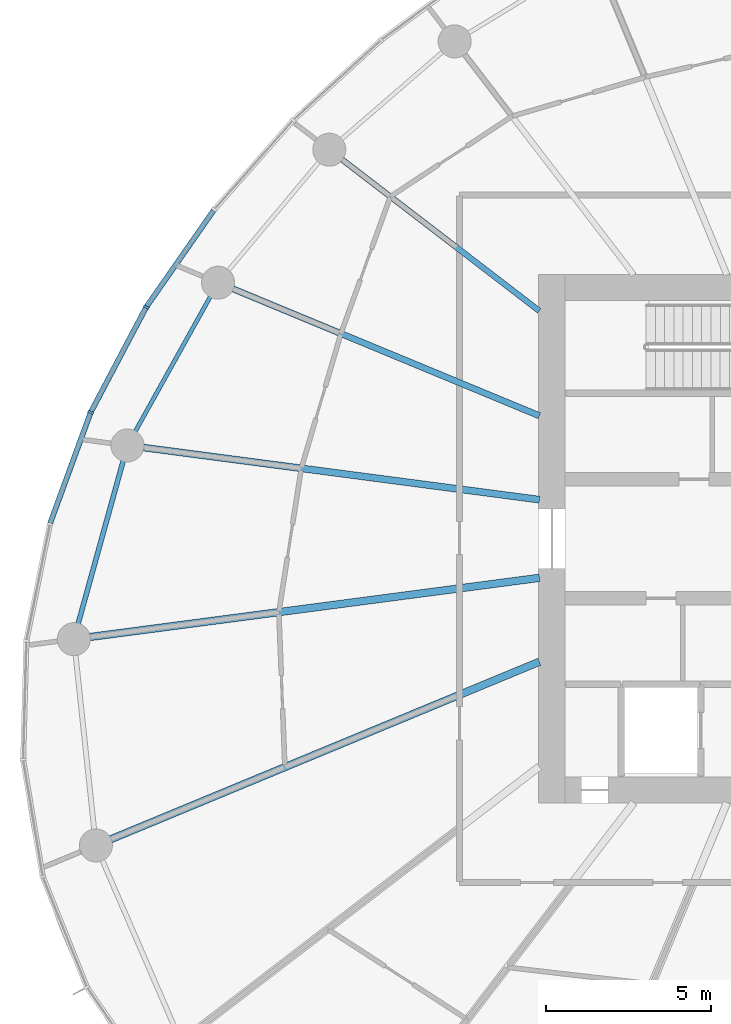
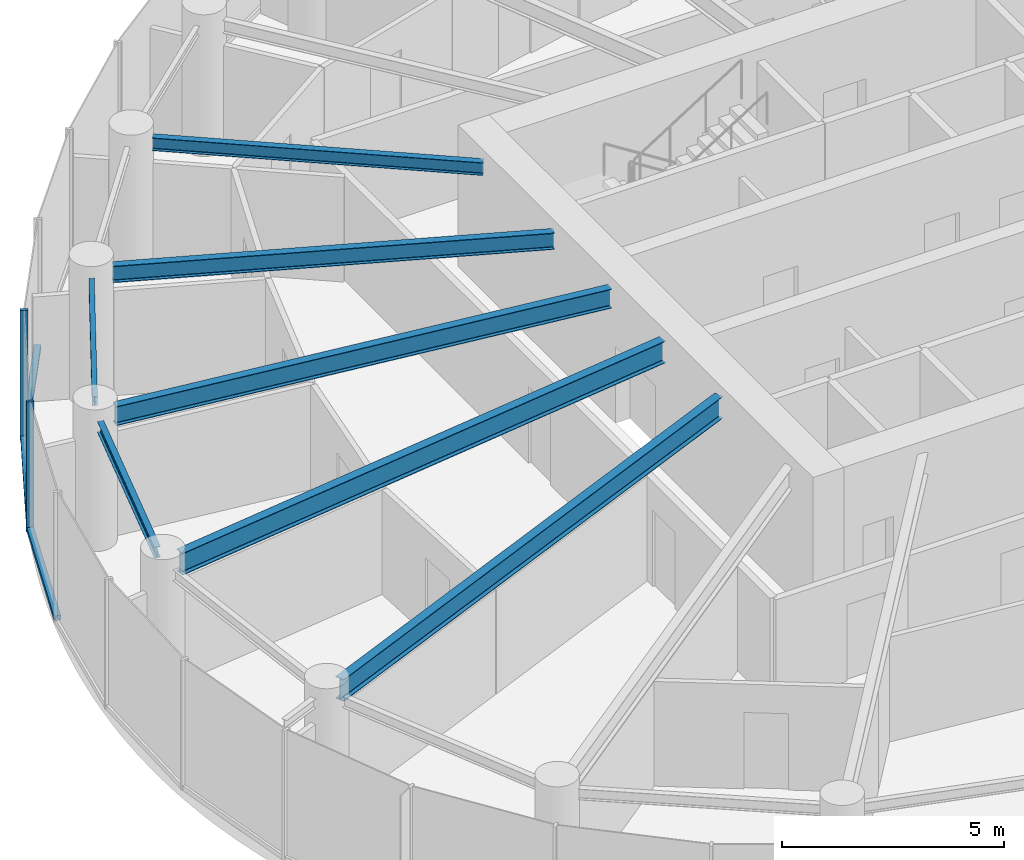
# One storey, part 3 of 14: 7 beams, 5 members, 1 element without a shape of its own.
"""IFC4 building model written with IfcOpenShell, lengths in metres."""

from ifc_helpers import new_model, si_unit, direction, frame, origin, origin_2d, place, context, subcontext, project, spatial, rectangle, i_section, extrude, source, transform, mapped, material, layer, layer_set, material_profile, profile_set, type_object, element, aggregate, save


model = new_model("IFC4")

# Units and contexts
model_context = context("Model", 3, precision=1e-05, world=origin(), true_north=direction((0.0, 1.0)))
body_context = subcontext(model_context, "Body", "Model", "MODEL_VIEW")
ifc_project = project(units=[si_unit("LENGTHUNIT", "METRE"), si_unit("AREAUNIT", "SQUARE_METRE"), si_unit("VOLUMEUNIT", "CUBIC_METRE"), si_unit("PLANEANGLEUNIT", "RADIAN"), si_unit("MASSUNIT", "GRAM", prefix="KILO")], contexts=[model_context])

# Site, building, storey
site_placement = place(None, origin())
site = spatial("IfcSite", under=ifc_project, at=site_placement, CompositionType="ELEMENT")
building_placement = place(site_placement, origin())
building = spatial("IfcBuilding", under=site, at=building_placement, Name="Spindrift Exchange Tower", CompositionType="ELEMENT")
storey_placement = place(building_placement, frame((0.0, 0.0, 160.39990234375)))
storey = spatial("IfcBuildingStorey", under=building, at=storey_placement, Name="L38", CompositionType="ELEMENT", Elevation=160.39990234375)

# Beams
ifc_material_1 = material(Name="Steel Grade 300", Category="steel")
ifc_material_profile_1 = material_profile(ifc_material_1, i_section(OverallWidth=0.1240234375, OverallDepth=0.248046875, WebThickness=0.0048828125, FlangeThickness=0.008056640625, FilletRadius=0.011962890625, at=origin_2d()), Name="250UB25.7")
ifc_profile_set_1 = profile_set([ifc_material_profile_1], Name="Steel Grade 300")
beam_type_1 = type_object("IfcBeamType", Name="Edge Beam 250UB25.7 Steel Grade 300", PredefinedType="SPANDREL", material=ifc_profile_set_1)
shared_shape_1 = source(origin(), body_context, "Body", "SweptSolid", [
    extrude(i_section(OverallWidth=0.1240234375, OverallDepth=0.248046875, WebThickness=0.0048828125, FlangeThickness=0.008056640625, FilletRadius=0.011962890625, at=origin_2d()), origin(), (0.0, 0.0, 1.0), 4.6748046875),
])
beam_1_placement = place(storey_placement, frame((33.067138671875, 55.326171875, 3.4560546875), z_axis=(-0.486587145143, -0.873632045075, 0.0), x_axis=(0.873632045075, -0.486587145143, 0.0)))
element("IfcBeam", 1, at=beam_1_placement, inside=storey, type_object=beam_type_1, Name="L38 edge beam E11", PredefinedType="SPANDREL", context=body_context, shape_type="MappedRepresentation", body=[
    mapped(shared_shape_1, transform((0.0, 0.0, 0.0), scale=1.0)),
])
ifc_material_profile_2 = material_profile(ifc_material_1, i_section(OverallWidth=0.14892578125, OverallDepth=0.298095703125, WebThickness=0.005615234375, FlangeThickness=0.008056640625, FilletRadius=0.012939453125, at=origin_2d()), Name="310UB32.0")
ifc_profile_set_2 = profile_set([ifc_material_profile_2], Name="Steel Grade 300")
beam_type_2 = type_object("IfcBeamType", Name="Edge Beam 310UB32.0 Steel Grade 300", PredefinedType="SPANDREL", material=ifc_profile_set_2)
shared_shape_2 = source(origin(), body_context, "Body", "SweptSolid", [
    extrude(i_section(OverallWidth=0.14892578125, OverallDepth=0.298095703125, WebThickness=0.005615234375, FlangeThickness=0.008056640625, FilletRadius=0.012939453125, at=origin_2d()), origin(), (0.0, 0.0, 1.0), 5.118896484375),
])
beam_2_placement = place(storey_placement, frame((30.430908203125, 50.360107421875, 3.43115234375), z_axis=(-0.266654866605, -0.963792084485, 0.0), x_axis=(0.963792084485, -0.266654866605, 0.0)))
element("IfcBeam", 2, at=beam_2_placement, inside=storey, type_object=beam_type_2, Name="L38 edge beam E12", PredefinedType="SPANDREL", context=body_context, shape_type="MappedRepresentation", body=[
    mapped(shared_shape_2, transform((0.0, 0.0, 0.0), scale=1.0)),
])
ifc_material_profile_3 = material_profile(ifc_material_1, i_section(OverallWidth=0.22802734375, OverallDepth=0.60205078125, WebThickness=0.010498046875, FlangeThickness=0.014892578125, FilletRadius=0.013916015625, at=origin_2d()), Name="610UB101")
ifc_profile_set_3 = profile_set([ifc_material_profile_3], Name="Steel Grade 300")
beam_type_3 = type_object("IfcBeamType", Name="Floor Beam 610UB101 Steel Grade 300", PredefinedType="BEAM", material=ifc_profile_set_3)
shared_shape_3 = source(origin(), body_context, "Body", "SweptSolid", [
    extrude(i_section(OverallWidth=0.22802734375, OverallDepth=0.60205078125, WebThickness=0.010498046875, FlangeThickness=0.014892578125, FilletRadius=0.013916015625, at=origin_2d()), origin(), (0.0, 0.0, 1.0), 13.723388671875),
])
beam_3_placement = place(storey_placement, frame((43.019775390625, 46.817626953125, 3.279052734375), z_axis=(-0.991447148915, -0.13050881544, 0.0), x_axis=(0.13050881544, -0.991447148915, 0.0)))
element("IfcBeam", 3, at=beam_3_placement, inside=storey, type_object=beam_type_3, Name="L38 radial beam R13A", PredefinedType="BEAM", context=body_context, shape_type="MappedRepresentation", body=[
    mapped(shared_shape_3, transform((0.0, 0.0, 0.0), scale=1.0)),
])
shared_shape_4 = source(origin(), body_context, "Body", "SweptSolid", [
    extrude(i_section(OverallWidth=0.22802734375, OverallDepth=0.60205078125, WebThickness=0.010498046875, FlangeThickness=0.014892578125, FilletRadius=0.013916015625, at=origin_2d()), origin(), (0.0, 0.0, 1.0), 14.04052734375),
])
beam_4_placement = place(storey_placement, frame((43.0185546875, 44.27978515625, 3.279052734375), z_axis=(-0.923879501748, -0.382683506634, 0.0), x_axis=(0.382683506634, -0.923879501748, 0.0)))
element("IfcBeam", 4, at=beam_4_placement, inside=storey, type_object=beam_type_3, Name="L38 radial beam R14A", PredefinedType="BEAM", context=body_context, shape_type="MappedRepresentation", body=[
    mapped(shared_shape_4, transform((0.0, 0.0, 0.0), scale=1.0)),
])
ifc_material_profile_4 = material_profile(ifc_material_1, i_section(OverallWidth=0.1708984375, OverallDepth=0.35205078125, WebThickness=0.0068359375, FlangeThickness=0.009765625, FilletRadius=0.013916015625, at=origin_2d()), Name="360UB44.7")
ifc_profile_set_4 = profile_set([ifc_material_profile_4], Name="Steel Grade 300")
beam_type_4 = type_object("IfcBeamType", Name="Floor Beam 360UB44.7 Steel Grade 300", PredefinedType="BEAM", material=ifc_profile_set_4)
shared_shape_5 = source(origin(), body_context, "Body", "SweptSolid", [
    extrude(i_section(OverallWidth=0.1708984375, OverallDepth=0.35205078125, WebThickness=0.0068359375, FlangeThickness=0.009765625, FilletRadius=0.013916015625, at=origin_2d()), origin(), (0.0, 0.0, 1.0), 7.52685546875),
])
beam_5_placement = place(storey_placement, frame((43.015869140625, 54.893798828125, 3.404052734375), z_axis=(-0.793354136078, 0.608760391918, 0.0), x_axis=(-0.608760391918, -0.793354136078, 0.0)))
element("IfcBeam", 5, at=beam_5_placement, inside=storey, type_object=beam_type_4, Name="L38 radial beam R10A", PredefinedType="BEAM", context=body_context, shape_type="MappedRepresentation", body=[
    mapped(shared_shape_5, transform((0.0, 0.0, 0.0), scale=1.0)),
])
ifc_material_profile_5 = material_profile(ifc_material_1, i_section(OverallWidth=0.18994140625, OverallDepth=0.4541015625, WebThickness=0.008544921875, FlangeThickness=0.0126953125, FilletRadius=0.013916015625, at=origin_2d()), Name="460UB67.1")
ifc_profile_set_5 = profile_set([ifc_material_profile_5], Name="Steel Grade 300")
beam_type_5 = type_object("IfcBeamType", Name="Floor Beam 460UB67.1 Steel Grade 300", PredefinedType="BEAM", material=ifc_profile_set_5)
shared_shape_6 = source(origin(), body_context, "Body", "SweptSolid", [
    extrude(i_section(OverallWidth=0.18994140625, OverallDepth=0.4541015625, WebThickness=0.008544921875, FlangeThickness=0.0126953125, FilletRadius=0.013916015625, at=origin_2d()), origin(), (0.0, 0.0, 1.0), 10.03857421875),
])
beam_6_placement = place(storey_placement, frame((43.0185546875, 51.72021484375, 3.35302734375), z_axis=(-0.923880777638, 0.382680426349, 0.0), x_axis=(-0.382680426349, -0.923880777638, 0.0)))
element("IfcBeam", 6, at=beam_6_placement, inside=storey, type_object=beam_type_5, Name="L38 radial beam R11A", PredefinedType="BEAM", context=body_context, shape_type="MappedRepresentation", body=[
    mapped(shared_shape_6, transform((0.0, 0.0, 0.0), scale=1.0)),
])
ifc_material_profile_6 = material_profile(ifc_material_1, i_section(OverallWidth=0.208984375, OverallDepth=0.528076171875, WebThickness=0.009521484375, FlangeThickness=0.01318359375, FilletRadius=0.013916015625, at=origin_2d()), Name="530UB82.0")
ifc_profile_set_6 = profile_set([ifc_material_profile_6], Name="Steel Grade 300")
beam_type_6 = type_object("IfcBeamType", Name="Floor Beam 530UB82.0 Steel Grade 300", PredefinedType="BEAM", material=ifc_profile_set_6)
shared_shape_7 = source(origin(), body_context, "Body", "SweptSolid", [
    extrude(i_section(OverallWidth=0.208984375, OverallDepth=0.528076171875, WebThickness=0.009521484375, FlangeThickness=0.01318359375, FilletRadius=0.013916015625, at=origin_2d()), origin(), (0.0, 0.0, 1.0), 12.088134765625),
])
beam_7_placement = place(storey_placement, frame((43.019775390625, 49.182373046875, 3.316162109375), z_axis=(-0.991447007302, 0.130509891244, 0.0), x_axis=(-0.130509891244, -0.991447007302, 0.0)))
element("IfcBeam", 7, at=beam_7_placement, inside=storey, type_object=beam_type_6, Name="L38 radial beam R12A", PredefinedType="BEAM", context=body_context, shape_type="MappedRepresentation", body=[
    mapped(shared_shape_7, transform((0.0, 0.0, 0.0), scale=1.0)),
])

# Curtain wall, members
ifc_material_2 = material(Name="Fritted laminated glass with bronze frame", Category="glass")
ifc_layer = layer(ifc_material_2, 0.179931640625)
ifc_layer_set = layer_set([ifc_layer], Name="ZONE 3 BRONZE FRITTED WALL")
curtain_wall_type = type_object("IfcCurtainWallType", Name="ZONE 3 BRONZE FRITTED WALL", PredefinedType="NOTDEFINED", material=ifc_layer_set)
curtain_wall_placement = place(storey_placement, origin())
curtain_wall = element("IfcCurtainWall", 8, at=curtain_wall_placement, inside=storey, type_object=curtain_wall_type, Name="L38 Zone 3 Bronze Fritted Wall run 3", PredefinedType="NOTDEFINED")
ifc_material_3 = material(Name="Bronze anodised aluminium", Category="aluminium")
ifc_material_profile_7 = material_profile(ifc_material_3, rectangle(XDim=0.159912109375, YDim=0.1298828125, at=origin_2d()), Name="ZONE 3 BRONZE FRITTED WALL TRANSOM 160X130")
ifc_profile_set_7 = profile_set([ifc_material_profile_7], Name="Bronze anodised aluminium")
member_type_1 = type_object("IfcMemberType", Name="ZONE 3 BRONZE FRITTED WALL TRANSOM 160X130", PredefinedType="USERDEFINED", material=ifc_profile_set_7)
shared_shape_8 = source(origin(), body_context, "Body", "SweptSolid", [
    extrude(rectangle(XDim=0.159912109375, YDim=0.1298828125, at=origin_2d()), origin(), (0.0, 0.0, 1.0), 3.5302734375),
])
member_1_placement = place(storey_placement, frame((31.10986328125, 54.97802734375, 0.065185546875), z_axis=(-0.466746599314, -0.88439109676, 0.0), x_axis=(0.88439109676, -0.466746599314, 0.0)))
member_1 = element("IfcMember", 9, at=member_1_placement, type_object=member_type_1, Name="L38 transom CW-3.15", ObjectType="TRANSOM", PredefinedType="USERDEFINED", context=body_context, shape_type="MappedRepresentation", body=[
    mapped(shared_shape_8, transform((0.0, 0.0, 0.0), scale=1.0)),
])
shared_shape_9 = source(origin(), body_context, "Body", "SweptSolid", [
    extrude(rectangle(XDim=0.159912109375, YDim=0.1298828125, at=origin_2d()), origin(), (0.0, 0.0, 1.0), 3.530517578125),
])
member_2_placement = place(storey_placement, frame((33.164794921875, 57.93408203125, 0.065185546875), z_axis=(-0.571753169713, -0.820425690068, 0.0), x_axis=(0.820425690068, -0.571753169713, 0.0)))
member_2 = element("IfcMember", 10, at=member_2_placement, type_object=member_type_1, Name="L38 transom CW-3.14", ObjectType="TRANSOM", PredefinedType="USERDEFINED", context=body_context, shape_type="MappedRepresentation", body=[
    mapped(shared_shape_9, transform((0.0, 0.0, 0.0), scale=1.0)),
])
ifc_material_profile_8 = material_profile(ifc_material_3, rectangle(XDim=0.070068359375, YDim=0.179931640625, at=origin_2d()), Name="ZONE 3 BRONZE FRITTED WALL MULLION 70X180")
ifc_profile_set_8 = profile_set([ifc_material_profile_8], Name="Bronze anodised aluminium")
member_type_2 = type_object("IfcMemberType", Name="ZONE 3 BRONZE FRITTED WALL MULLION 70X180", PredefinedType="MULLION", material=ifc_profile_set_8)
shared_shape_10 = source(origin(), body_context, "Body", "SweptSolid", [
    extrude(rectangle(XDim=0.070068359375, YDim=0.179931640625, at=origin_2d()), origin(), (0.0, 0.0, 1.0), 3.580078125),
])
member_3_placement = place(storey_placement, frame((31.126220703125, 55.009033203125, 0.0), z_axis=(0.0, 0.0, 1.0), x_axis=(-0.520249782642, -0.854014147225, 0.0)))
member_3 = element("IfcMember", 11, at=member_3_placement, type_object=member_type_2, Name="L38 mullion CW-3.15", PredefinedType="MULLION", context=body_context, shape_type="MappedRepresentation", body=[
    mapped(shared_shape_10, transform((0.0, 0.0, 0.0), scale=1.0)),
])
member_4_placement = place(storey_placement, frame((29.44580078125, 51.8251953125, 0.0), z_axis=(0.0, 0.0, 1.0), x_axis=(-0.405878701504, -0.913926955323, 0.0)))
member_4 = element("IfcMember", 12, at=member_4_placement, type_object=member_type_2, Name="L38 mullion CW-3.16", PredefinedType="MULLION", context=body_context, shape_type="MappedRepresentation", body=[
    mapped(shared_shape_10, transform((0.0, 0.0, 0.0), scale=1.0)),
])
shared_shape_11 = source(origin(), body_context, "Body", "SweptSolid", [
    extrude(rectangle(XDim=0.159912109375, YDim=0.1298828125, at=origin_2d()), origin(), (0.0, 0.0, 1.0), 3.529541015625),
])
member_5_placement = place(storey_placement, frame((29.433837890625, 51.792236328125, 0.065185546875), z_axis=(-0.343158919957, -0.939277358214, 0.0), x_axis=(0.939277358214, -0.343158919957, 0.0)))
member_5 = element("IfcMember", 13, at=member_5_placement, type_object=member_type_1, Name="L38 transom CW-3.16", ObjectType="TRANSOM", PredefinedType="USERDEFINED", context=body_context, shape_type="MappedRepresentation", body=[
    mapped(shared_shape_11, transform((0.0, 0.0, 0.0), scale=1.0)),
])
aggregate(curtain_wall, [member_2, member_3, member_1, member_4, member_5])

save(model, "model.ifc")
